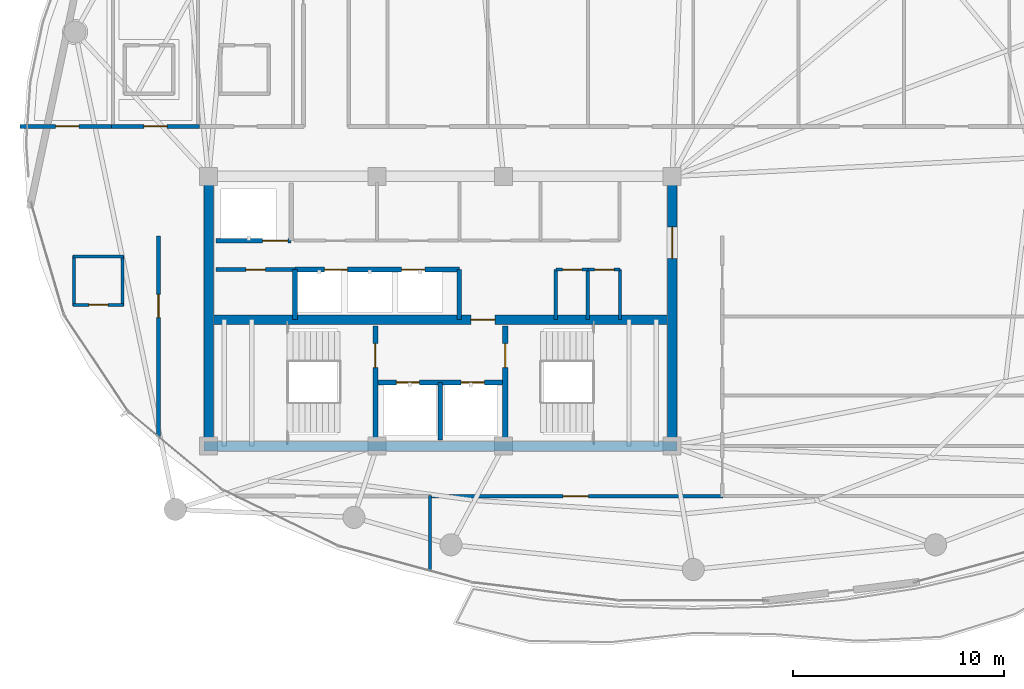
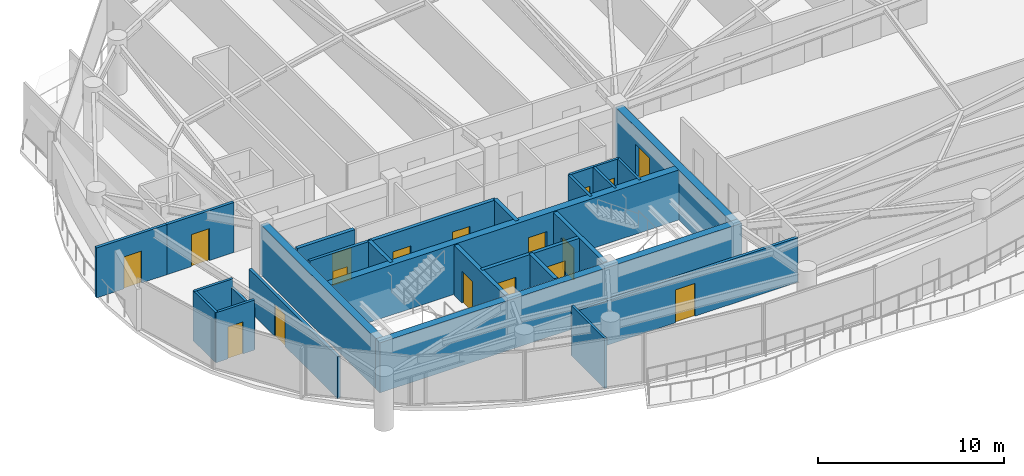
# One storey, part 23 of 29: 27 walls, 17 doors, 17 openings.
"""IFC4 building model written with IfcOpenShell, lengths in metres."""

import ifcopenshell
import ifcopenshell.guid

model = None  # the IFC model being written
_history = None  # IfcOwnerHistory: only IFC2X3 demands one
_inside = {}  # id of a spatial element -> (the spatial element, [elements in it])
_under = {}  # id of a project, library or spatial element -> (it, [spatial elements below it])
_declared = {}  # id of a project -> (the project, [libraries it declares])
_typed = {}  # id of a type object -> (the type object, [elements of that type])
_made_of = {}  # id of a material, layer set ... -> (it, [elements and type objects made of it])


def new_model(schema):
    """Start an empty IFC model of exactly this schema.

    Asked for "IFC4X3", IfcOpenShell would pick the latest addendum, in which some entities
    have other attributes; the version numbers below select the first issue.
    IFC2X3 requires an IfcOwnerHistory on every rooted entity: one is made here for all.
    """
    global model, _history
    if schema == "IFC4X3":
        model = ifcopenshell.file(schema_version=(4, 3, 0, 0))
    else:
        model = ifcopenshell.file(schema=schema)
    _inside.clear()
    _under.clear()
    _declared.clear()
    _typed.clear()
    _made_of.clear()
    _history = None
    if model.schema == "IFC2X3":
        org = make("IfcOrganization", Name="unknown")
        user = make(
            "IfcPersonAndOrganization",
            ThePerson=make("IfcPerson", FamilyName="unknown"),
            TheOrganization=org,
        )
        app = make(
            "IfcApplication",
            ApplicationDeveloper=org,
            Version="unknown",
            ApplicationFullName="unknown",
            ApplicationIdentifier="unknown",
        )
        _history = make(
            "IfcOwnerHistory",
            OwningUser=user,
            OwningApplication=app,
            ChangeAction="ADDED",
            CreationDate=0,
        )
    return model


def make(cls, **values):
    """One entity of the class cls with the attributes given. An attribute that is None is left unset."""
    return model.create_entity(
        cls, **{name: value for name, value in values.items() if value is not None}
    )


def rooted(cls, **values):
    """An entity with a GlobalId (a new one), such as an element, a storey or a relation."""
    return make(cls, GlobalId=ifcopenshell.guid.new(), OwnerHistory=_history, **values)


def si_unit(unit_type, name, prefix=None):
    """IfcSIUnit, for example si_unit("LENGTHUNIT", "METRE", prefix="MILLI")."""
    return make("IfcSIUnit", UnitType=unit_type, Prefix=prefix, Name=name)


def assignment(units):
    """IfcUnitAssignment: the units of a project."""
    return None if units is None else make("IfcUnitAssignment", Units=units)


def point(xyz):
    """IfcCartesianPoint."""
    return None if xyz is None else make("IfcCartesianPoint", Coordinates=xyz)


def direction(xyz):
    """IfcDirection."""
    return None if xyz is None else make("IfcDirection", DirectionRatios=xyz)


def frame(location, z_axis=None, x_axis=None):
    """IfcAxis2Placement3D, a coordinate frame: its origin and axes. An axis left out is left unset."""
    return make(
        "IfcAxis2Placement3D",
        Location=point(location),
        Axis=direction(z_axis),
        RefDirection=direction(x_axis),
    )


def frame_2d(location, x_axis=None):
    """IfcAxis2Placement2D, a coordinate frame in the plane: its origin and x axis."""
    return make(
        "IfcAxis2Placement2D", Location=point(location), RefDirection=direction(x_axis)
    )


def origin():
    """The frame at (0, 0, 0) with its axes left unset."""
    return frame((0.0, 0.0, 0.0))


def place(relative_to, where):
    """IfcLocalPlacement: puts the frame where relative to a parent placement (None: the world)."""
    return make(
        "IfcLocalPlacement", PlacementRelTo=relative_to, RelativePlacement=where
    )


def context(
    kind, dimensions, precision=None, world=None, true_north=None, identifier=None
):
    """IfcGeometricRepresentationContext, for example the 3D "Model" context."""
    return make(
        "IfcGeometricRepresentationContext",
        ContextIdentifier=identifier,
        ContextType=kind,
        CoordinateSpaceDimension=dimensions,
        Precision=precision,
        WorldCoordinateSystem=world,
        TrueNorth=true_north,
    )


def subcontext(parent, identifier, kind, view, scale=None):
    """IfcGeometricRepresentationSubContext, for example "Body" below "Model"."""
    return make(
        "IfcGeometricRepresentationSubContext",
        ContextIdentifier=identifier,
        ContextType=kind,
        ParentContext=parent,
        TargetScale=scale,
        TargetView=view,
    )


def project(units=None, contexts=None):
    """IfcProject with its units and contexts."""
    return rooted(
        "IfcProject",
        Name="project",
        RepresentationContexts=contexts,
        UnitsInContext=assignment(units),
    )


def spatial(cls, under=None, at=None, **own):
    """A site, building, storey or space (cls), placed at a placement, below another one or the project."""
    s = rooted(cls, ObjectPlacement=at, **own)
    if under is not None:
        _under.setdefault(under.id(), (under, []))[1].append(s)
    return s


def profile(cls, at=None, kind="AREA", **sizes):
    """A parametric profile (cls). Its sizes go by their IFC names, for example OverallWidth=200.0."""
    return make(cls, ProfileType=kind, Position=at, **sizes)


def rectangle(**sizes):
    """IfcRectangleProfileDef."""
    return profile("IfcRectangleProfileDef", **sizes)


def extrude(swept, where, along, depth):
    """IfcExtrudedAreaSolid: the profile swept, set in the frame where, extruded along a direction by depth."""
    return make(
        "IfcExtrudedAreaSolid",
        SweptArea=swept,
        Position=where,
        ExtrudedDirection=direction(along),
        Depth=depth,
    )


def shape(context_of_items, identifier, shape_type, items):
    """IfcShapeRepresentation: the items that make up one representation, for example the "Body"."""
    return make(
        "IfcShapeRepresentation",
        ContextOfItems=context_of_items,
        RepresentationIdentifier=identifier,
        RepresentationType=shape_type,
        Items=items,
    )


def material(Name=None, Category=None):
    """IfcMaterial."""
    return make("IfcMaterial", Name=Name, Category=Category)


def layer(
    of_material, thickness, ventilated=None, Name=None, Category=None, Priority=None
):
    """IfcMaterialLayer: one layer of a wall or slab, of a material (None: an air gap)."""
    return make(
        "IfcMaterialLayer",
        Material=of_material,
        LayerThickness=thickness,
        IsVentilated=ventilated,
        Name=Name,
        Category=Category,
        Priority=Priority,
    )


def layer_set(layers, Name=None):
    """IfcMaterialLayerSet."""
    return make("IfcMaterialLayerSet", MaterialLayers=layers, LayerSetName=Name)


def made_of(thing, what):
    """Note that an element or type object is made of a material, layer set ...; save() writes the relation."""
    if what is not None:
        _made_of.setdefault(what.id(), (what, []))[1].append(thing)
    return thing


def type_object(cls, material=None, **own):
    """A type object (cls), such as IfcWallType, which elements share."""
    return made_of(rooted(cls, **own), material)


def element(
    cls,
    number,
    at=None,
    inside=None,
    cuts=None,
    type_object=None,
    material=None,
    context=None,
    identifier="Body",
    shape_type=None,
    held_by="IfcProductDefinitionShape",
    body=None,
    shapes=None,
    **own,
):
    """One element of the class cls, such as IfcWall. Its Tag is "e" and its number.

    at: its placement. inside: the storey or other place that contains it. cuts: it is an
    opening in that element (IfcRelVoidsElement). A single representation is given by context,
    identifier, shape_type and body (its items); several are given by shapes. held_by: the class
    of the entity that holds the representations. save() writes the other relations.
    """
    e = rooted(cls, Tag="e%d" % number, ObjectPlacement=at, **own)
    if body is not None:
        shapes = [shape(context, identifier, shape_type, body)]
    if shapes is not None:
        e.Representation = make(held_by, Representations=shapes)
    if inside is not None:
        _inside.setdefault(inside.id(), (inside, []))[1].append(e)
    if cuts is not None:
        rooted(
            "IfcRelVoidsElement", RelatingBuildingElement=cuts, RelatedOpeningElement=e
        )
    if type_object is not None:
        _typed.setdefault(type_object.id(), (type_object, []))[1].append(e)
    return made_of(e, material)


def fill(opening, filler):
    """IfcRelFillsElement: the door or window that sits in an opening."""
    return rooted(
        "IfcRelFillsElement",
        RelatingOpeningElement=opening,
        RelatedBuildingElement=filler,
    )


def aggregate(whole, parts):
    """IfcRelAggregates: a whole, such as a stair, and the parts it consists of."""
    return rooted("IfcRelAggregates", RelatingObject=whole, RelatedObjects=parts)


def save(model, path):
    """Write the relations noted so far, then the file.

    IfcRelAggregates (storeys below a building ...), IfcRelContainedInSpatialStructure (elements
    in a storey), IfcRelDefinesByType, IfcRelAssociatesMaterial and IfcRelDeclares: one each for
    every whole, place, type object, material and project.
    """
    for whole, parts in _under.values():
        aggregate(whole, parts)
    for where, things in _inside.values():
        rooted(
            "IfcRelContainedInSpatialStructure",
            RelatedElements=things,
            RelatingStructure=where,
        )
    for kind, things in _typed.values():
        rooted("IfcRelDefinesByType", RelatedObjects=things, RelatingType=kind)
    for what, things in _made_of.values():
        rooted("IfcRelAssociatesMaterial", RelatedObjects=things, RelatingMaterial=what)
    for by, libraries in _declared.values():
        rooted("IfcRelDeclares", RelatingContext=by, RelatedDefinitions=libraries)
    model.write(path)


model = new_model("IFC4")

# Units and contexts
model_context = context("Model", 3, precision=1e-05, world=origin(), true_north=direction((0.0, 1.0)))
body_context = subcontext(model_context, "Body", "Model", "MODEL_VIEW")
ifc_project = project(units=[si_unit("LENGTHUNIT", "METRE"), si_unit("AREAUNIT", "SQUARE_METRE"), si_unit("VOLUMEUNIT", "CUBIC_METRE"), si_unit("PLANEANGLEUNIT", "RADIAN"), si_unit("MASSUNIT", "GRAM", prefix="KILO")], contexts=[model_context])

# Site, building, storey
site_placement = place(None, origin())
site = spatial("IfcSite", under=ifc_project, at=site_placement, CompositionType="ELEMENT")
building_placement = place(site_placement, origin())
building = spatial("IfcBuilding", under=site, at=building_placement, Name="Kazevale Care Tower and Concert Hall", CompositionType="ELEMENT")
storey_placement = place(building_placement, frame((0.0, 0.0, 249.60009765625)))
storey = spatial("IfcBuildingStorey", under=building, at=storey_placement, Name="L66", CompositionType="ELEMENT", Elevation=249.60009765625)

# Wall
ifc_material_1 = material(Name="Acoustic Gypsum on Steel Stud", Category="steel")
ifc_layer_1 = layer(ifc_material_1, 0.139892578125)
ifc_layer_set_1 = layer_set([ifc_layer_1], Name="Acoustic Gypsum on Steel Stud")
wall_type_1 = type_object("IfcWallType", Name="Acoustic Care & Suite Partition 140", PredefinedType="PARTITIONING", material=ifc_layer_set_1)
wall_1_placement = place(storey_placement, frame((41.52001953125, 29.6201171875, 0.0), z_axis=(0.0, 0.0, 1.0), x_axis=(0.0, 1.0, 0.0)))
element("IfcWall", 1, at=wall_1_placement, inside=storey, type_object=wall_type_1, Name="wall:L66:ka_ee", PredefinedType="PARTITIONING", context=body_context, shape_type="SweptSolid", body=[
    extrude(rectangle(XDim=2.35986328125, YDim=0.139892578125, at=frame_2d((1.179931640625, 0.0))), origin(), (0.0, 0.0, 1.0), 3.27978515625),
])

# Wall, opening, door
wall_2_placement = place(storey_placement, frame((40.0, 31.97998046875, 0.0), z_axis=(0.0, 0.0, 1.0), x_axis=(1.0, 0.0, 0.0)))
wall_2 = element("IfcWall", 2, at=wall_2_placement, inside=storey, type_object=wall_type_1, Name="wall:L66:ka_en2", PredefinedType="PARTITIONING", context=body_context, shape_type="SweptSolid", body=[
    extrude(rectangle(XDim=1.52001953125, YDim=0.139892578125, at=frame_2d((0.760009765625, 0.0))), origin(), (0.0, 0.0, 1.0), 3.27978515625),
])
opening_1_placement = place(wall_2_placement, frame((0.320068359375, 0.0, 0.0)))
opening_1 = element("IfcOpeningElement", 3, at=opening_1_placement, cuts=wall_2, Name="Opening ID-900", PredefinedType="OPENING", context=body_context, shape_type="SweptSolid", body=[
    extrude(rectangle(XDim=0.919921875, YDim=2.10009765625, at=frame_2d((0.4599609375, 1.050048828125))), frame((0.0, 0.079833984375, 0.0), z_axis=(0.0, -1.0, 0.0), x_axis=(1.0, 0.0, 0.0)), (0.0, 0.0, 1.0), 0.159912109375),
])
ifc_material_2 = material(Name="Oak Timber Fire Leaf", Category="wood")
door_type_1 = type_object("IfcDoorType", Name="Bathroom & Service Door 920x2100", OperationType="NOTDEFINED", PredefinedType="DOOR", material=ifc_material_2)
door_1_placement = place(opening_1_placement, origin())
door_1 = element("IfcDoor", 4, at=door_1_placement, inside=storey, type_object=door_type_1, Name="door:L66:d_kae2", OperationType="SINGLE_SWING_RIGHT", OverallHeight=2.10009765625, OverallWidth=0.919921875, PredefinedType="DOOR", context=body_context, shape_type="SweptSolid", body=[
    extrude(rectangle(XDim=0.919921875, YDim=2.10009765625, at=frame_2d((0.4599609375, 1.050048828125))), frame((0.0, 0.02490234375, 0.0), z_axis=(0.0, -1.0, 0.0), x_axis=(1.0, 0.0, 0.0)), (0.0, 0.0, 1.0), 0.050048828125),
])
fill(opening_1, door_1)

# Walls
wall_3_placement = place(storey_placement, frame((32.5, 21.2548828125, 0.0), z_axis=(0.0, 0.0, 1.0), x_axis=(0.0, -1.0, 0.0)))
element("IfcWall", 5, at=wall_3_placement, inside=storey, type_object=wall_type_1, Name="wall:L66:auto_038", PredefinedType="PARTITIONING", context=body_context, shape_type="SweptSolid", body=[
    extrude(rectangle(XDim=3.55859375, YDim=0.139892578125, at=frame_2d((1.779296875, 0.0))), origin(), (0.0, 0.0, 1.0), 3.27978515625),
])
ifc_material_3 = material(Name="Concrete C50", Category="concrete")
ifc_layer_2 = layer(ifc_material_3, 0.449951171875)
ifc_layer_set_2 = layer_set([ifc_layer_2], Name="Concrete C50")
wall_type_2 = type_object("IfcWallType", Name="Core Shear Wall 450 C50", PredefinedType="SHEAR", material=ifc_layer_set_2)
wall_4_placement = place(storey_placement, frame((21.77490234375, 23.60009765625, 0.0), z_axis=(0.0, 0.0, 1.0), x_axis=(1.0, 0.0, 0.0)))
element("IfcWall", 6, at=wall_4_placement, inside=storey, type_object=wall_type_2, Name="wall:L66:core:S", PredefinedType="SHEAR", context=body_context, shape_type="SweptSolid", body=[
    extrude(rectangle(XDim=22.4501953125, YDim=0.449951171875, at=frame_2d((11.22509765625, 0.0))), origin(), (0.0, 0.0, 1.0), 3.27978515625),
])
wall_5_placement = place(storey_placement, frame((22.0, 23.824951171875, 0.0), z_axis=(0.0, 0.0, 1.0), x_axis=(0.0, 1.0, 0.0)))
element("IfcWall", 7, at=wall_5_placement, inside=storey, type_object=wall_type_2, Name="wall:L66:core:W", PredefinedType="SHEAR", context=body_context, shape_type="SweptSolid", body=[
    extrude(rectangle(XDim=12.35009765625, YDim=0.449951171875, at=frame_2d((6.175048828125, 0.0))), origin(), (0.0, 0.0, 1.0), 3.27978515625),
])

# Wall, opening, door
wall_6_placement = place(storey_placement, frame((44.0, 23.824951171875, 0.0), z_axis=(0.0, 0.0, 1.0), x_axis=(0.0, 1.0, 0.0)))
wall_6 = element("IfcWall", 8, at=wall_6_placement, inside=storey, type_object=wall_type_2, Name="wall:L66:core:E", PredefinedType="SHEAR", context=body_context, shape_type="SweptSolid", body=[
    extrude(rectangle(XDim=12.35009765625, YDim=0.449951171875, at=frame_2d((6.175048828125, 0.0))), origin(), (0.0, 0.0, 1.0), 3.27978515625),
])
opening_2_placement = place(wall_6_placement, frame((8.675048828125, 0.0, 0.0)))
opening_2 = element("IfcOpeningElement", 9, at=opening_2_placement, cuts=wall_6, Name="Opening FD-60D", PredefinedType="OPENING", context=body_context, shape_type="SweptSolid", body=[
    extrude(rectangle(XDim=1.5, YDim=2.14990234375, at=frame_2d((0.75, 1.074951171875))), frame((0.0, 0.23486328125, 0.0), z_axis=(0.0, -1.0, 0.0), x_axis=(1.0, 0.0, 0.0)), (0.0, 0.0, 1.0), 0.469970703125),
])
door_type_2 = type_object("IfcDoorType", Name="Double Lobby & Auditorium Fire Door 1500x2150", OperationType="NOTDEFINED", PredefinedType="DOOR", material=ifc_material_2)
door_2_placement = place(opening_2_placement, origin())
door_2 = element("IfcDoor", 10, at=door_2_placement, inside=storey, type_object=door_type_2, Name="door:L66:core_east_out", OperationType="DOUBLE_DOOR_SINGLE_SWING", OverallHeight=2.14990234375, OverallWidth=1.5, PredefinedType="DOOR", context=body_context, shape_type="SweptSolid", body=[
    extrude(rectangle(XDim=1.5, YDim=2.14990234375, at=frame_2d((0.75, 1.074951171875))), frame((0.0, 0.02490234375, 0.0), z_axis=(0.0, -1.0, 0.0), x_axis=(1.0, 0.0, 0.0)), (0.0, 0.0, 1.0), 0.050048828125),
])
fill(opening_2, door_2)

wall_7_placement = place(storey_placement, frame((22.22509765625, 29.60009765625, 0.0), z_axis=(0.0, 0.0, 1.0), x_axis=(1.0, 0.0, 0.0)))
wall_7 = element("IfcWall", 11, at=wall_7_placement, inside=storey, type_object=wall_type_2, Name="wall:L66:core:M", PredefinedType="SHEAR", context=body_context, shape_type="SweptSolid", body=[
    extrude(rectangle(XDim=21.5498046875, YDim=0.449951171875, at=frame_2d((10.77490234375, 0.0))), origin(), (0.0, 0.0, 1.0), 3.27978515625),
])
opening_3_placement = place(wall_7_placement, frame((12.22509765625, 0.0, 0.0)))
opening_3 = element("IfcOpeningElement", 12, at=opening_3_placement, cuts=wall_7, Name="Opening FD-90", PredefinedType="OPENING", context=body_context, shape_type="SweptSolid", body=[
    extrude(rectangle(XDim=1.14990234375, YDim=2.10009765625, at=frame_2d((0.574951171875, 1.050048828125))), frame((0.0, 0.23486328125, 0.0), z_axis=(0.0, -1.0, 0.0), x_axis=(1.0, 0.0, 0.0)), (0.0, 0.0, 1.0), 0.469970703125),
])
ifc_material_4 = material(Name="Steel ASTM A572 Gr 50", Category="steel")
door_type_3 = type_object("IfcDoorType", Name="Pressurized Stair & Lobby Fire Door 1150x2100", OperationType="NOTDEFINED", PredefinedType="DOOR", material=ifc_material_4)
door_3_placement = place(opening_3_placement, origin())
door_3 = element("IfcDoor", 13, at=door_3_placement, inside=storey, type_object=door_type_3, Name="door:L66:ff_to_pax", OperationType="SINGLE_SWING_LEFT", OverallHeight=2.10009765625, OverallWidth=1.14990234375, PredefinedType="DOOR", context=body_context, shape_type="SweptSolid", body=[
    extrude(rectangle(XDim=1.14990234375, YDim=2.10009765625, at=frame_2d((0.574951171875, 1.050048828125))), frame((0.0, 0.02490234375, 0.0), z_axis=(0.0, -1.0, 0.0), x_axis=(1.0, 0.0, 0.0)), (0.0, 0.0, 1.0), 0.050048828125),
])
fill(opening_3, door_3)

# Wall, openings, doors
ifc_material_5 = material(Name="Concrete C40", Category="concrete")
ifc_layer_3 = layer(ifc_material_5, 0.219970703125)
ifc_layer_set_3 = layer_set([ifc_layer_3], Name="Concrete C40")
wall_type_3 = type_object("IfcWallType", Name="Elevator Hoistway Shaft Wall 220", PredefinedType="SOLIDWALL", material=ifc_layer_set_3)
wall_8_placement = place(storey_placement, frame((29.919921875, 26.6201171875, 0.0), z_axis=(0.0, 0.0, 1.0), x_axis=(1.0, 0.0, 0.0)))
wall_8 = element("IfcWall", 14, at=wall_8_placement, inside=storey, type_object=wall_type_3, Name="wall:L66:c_ffl_n", PredefinedType="SOLIDWALL", context=body_context, shape_type="SweptSolid", body=[
    extrude(rectangle(XDim=6.16015625, YDim=0.219970703125, at=frame_2d((3.080078125, 0.0))), origin(), (0.0, 0.0, 1.0), 3.27978515625),
])
opening_4_placement = place(wall_8_placement, frame((0.989990234375, 0.0, 0.0)))
opening_4 = element("IfcOpeningElement", 15, at=opening_4_placement, cuts=wall_8, Name="Opening LD-FF", PredefinedType="OPENING", context=body_context, shape_type="SweptSolid", body=[
    extrude(rectangle(XDim=1.10009765625, YDim=2.10009765625, at=frame_2d((0.550048828125, 1.050048828125))), frame((0.0, 0.119873046875, 0.0), z_axis=(0.0, -1.0, 0.0), x_axis=(1.0, 0.0, 0.0)), (0.0, 0.0, 1.0), 0.239990234375),
])
opening_5_placement = place(wall_8_placement, frame((4.070068359375, 0.0, 0.0)))
opening_5 = element("IfcOpeningElement", 16, at=opening_5_placement, cuts=wall_8, Name="Opening LD-FF", PredefinedType="OPENING", context=body_context, shape_type="SweptSolid", body=[
    extrude(rectangle(XDim=1.10009765625, YDim=2.10009765625, at=frame_2d((0.550048828125, 1.050048828125))), frame((0.0, 0.119873046875, 0.0), z_axis=(0.0, -1.0, 0.0), x_axis=(1.0, 0.0, 0.0)), (0.0, 0.0, 1.0), 0.239990234375),
])
ifc_material_6 = material(Name="Stainless Steel 316", Category="steel")
door_type_4 = type_object("IfcDoorType", Name="Emergency Lift Sliding Landing Door 1100x2100", OperationType="NOTDEFINED", PredefinedType="DOOR", material=ifc_material_6)
door_4_placement = place(opening_4_placement, origin())
door_4 = element("IfcDoor", 17, at=door_4_placement, inside=storey, type_object=door_type_4, Name="door:L66:ld_ffl1", OperationType="SLIDING_TO_LEFT", OverallHeight=2.10009765625, OverallWidth=1.10009765625, PredefinedType="DOOR", context=body_context, shape_type="SweptSolid", body=[
    extrude(rectangle(XDim=1.10009765625, YDim=2.10009765625, at=frame_2d((0.550048828125, 1.050048828125))), frame((0.0, 0.02490234375, 0.0), z_axis=(0.0, -1.0, 0.0), x_axis=(1.0, 0.0, 0.0)), (0.0, 0.0, 1.0), 0.050048828125),
])
fill(opening_4, door_4)
door_5_placement = place(opening_5_placement, origin())
door_5 = element("IfcDoor", 18, at=door_5_placement, inside=storey, type_object=door_type_4, Name="door:L66:ld_ffl2", OperationType="SLIDING_TO_RIGHT", OverallHeight=2.10009765625, OverallWidth=1.10009765625, PredefinedType="DOOR", context=body_context, shape_type="SweptSolid", body=[
    extrude(rectangle(XDim=1.10009765625, YDim=2.10009765625, at=frame_2d((0.550048828125, 1.050048828125))), frame((0.0, 0.02490234375, 0.0), z_axis=(0.0, -1.0, 0.0), x_axis=(1.0, 0.0, 0.0)), (0.0, 0.0, 1.0), 0.050048828125),
])
fill(opening_5, door_5)

# Wall
wall_9_placement = place(storey_placement, frame((33.0, 23.89990234375, 0.0), z_axis=(0.0, 0.0, 1.0), x_axis=(0.0, 1.0, 0.0)))
element("IfcWall", 19, at=wall_9_placement, inside=storey, type_object=wall_type_3, Name="wall:L66:c_ffl_m", PredefinedType="SOLIDWALL", context=body_context, shape_type="SweptSolid", body=[
    extrude(rectangle(XDim=2.72021484375, YDim=0.219970703125, at=frame_2d((1.360107421875, 0.0))), origin(), (0.0, 0.0, 1.0), 3.27978515625),
])

# Wall, opening, door
wall_10_placement = place(storey_placement, frame((22.35009765625, 33.35009765625, 0.0), z_axis=(0.0, 0.0, 1.0), x_axis=(1.0, 0.0, 0.0)))
wall_10 = element("IfcWall", 20, at=wall_10_placement, inside=storey, type_object=wall_type_3, Name="wall:L66:c_svl_s", PredefinedType="SOLIDWALL", context=body_context, shape_type="SweptSolid", body=[
    extrude(rectangle(XDim=3.56982421875, YDim=0.219970703125, at=frame_2d((1.784912109375, 0.0))), origin(), (0.0, 0.0, 1.0), 3.27978515625),
])
opening_6_placement = place(wall_10_placement, frame((2.212890625, 0.0, 0.0)))
opening_6 = element("IfcOpeningElement", 21, at=opening_6_placement, cuts=wall_10, Name="Opening LD-SV", PredefinedType="OPENING", context=body_context, shape_type="SweptSolid", body=[
    extrude(rectangle(XDim=1.199951171875, YDim=2.10009765625, at=frame_2d((0.60009765625, 1.050048828125))), frame((0.0, 0.119873046875, 0.0), z_axis=(0.0, -1.0, 0.0), x_axis=(1.0, 0.0, 0.0)), (0.0, 0.0, 1.0), 0.239990234375),
])
door_type_5 = type_object("IfcDoorType", Name="Service Lift Sliding Landing Door 1200x2100", OperationType="NOTDEFINED", PredefinedType="DOOR", material=ifc_material_6)
door_6_placement = place(opening_6_placement, origin())
door_6 = element("IfcDoor", 22, at=door_6_placement, inside=storey, type_object=door_type_5, Name="door:L66:ld_svl1", OperationType="SLIDING_TO_LEFT", OverallHeight=2.10009765625, OverallWidth=1.199951171875, PredefinedType="DOOR", context=body_context, shape_type="SweptSolid", body=[
    extrude(rectangle(XDim=1.199951171875, YDim=2.10009765625, at=frame_2d((0.60009765625, 1.050048828125))), frame((0.0, 0.02490234375, 0.0), z_axis=(0.0, -1.0, 0.0), x_axis=(1.0, 0.0, 0.0)), (0.0, 0.0, 1.0), 0.050048828125),
])
fill(opening_6, door_6)

# Wall
wall_11_placement = place(storey_placement, frame((26.10009765625, 29.6201171875, 0.0), z_axis=(0.0, 0.0, 1.0), x_axis=(0.0, 1.0, 0.0)))
element("IfcWall", 23, at=wall_11_placement, inside=storey, type_object=wall_type_3, Name="wall:L66:c_ph_w", PredefinedType="SOLIDWALL", context=body_context, shape_type="SweptSolid", body=[
    extrude(rectangle(XDim=2.35986328125, YDim=0.219970703125, at=frame_2d((1.179931640625, 0.0))), origin(), (0.0, 0.0, 1.0), 3.27978515625),
])

# Wall, openings, doors
wall_12_placement = place(storey_placement, frame((26.10009765625, 31.97998046875, 0.0), z_axis=(0.0, 0.0, 1.0), x_axis=(1.0, 0.0, 0.0)))
wall_12 = element("IfcWall", 24, at=wall_12_placement, inside=storey, type_object=wall_type_3, Name="wall:L66:c_ph_n", PredefinedType="SOLIDWALL", context=body_context, shape_type="SweptSolid", body=[
    extrude(rectangle(XDim=7.7998046875, YDim=0.219970703125, at=frame_2d((3.89990234375, 0.0))), origin(), (0.0, 0.0, 1.0), 3.27978515625),
])
opening_7_placement = place(wall_12_placement, frame((1.39990234375, 0.0, 0.0)))
opening_7 = element("IfcOpeningElement", 25, at=opening_7_placement, cuts=wall_12, Name="Opening LD-PAX", PredefinedType="OPENING", context=body_context, shape_type="SweptSolid", body=[
    extrude(rectangle(XDim=1.10009765625, YDim=2.10009765625, at=frame_2d((0.550048828125, 1.050048828125))), frame((0.0, 0.119873046875, 0.0), z_axis=(0.0, -1.0, 0.0), x_axis=(1.0, 0.0, 0.0)), (0.0, 0.0, 1.0), 0.239990234375),
])
opening_8_placement = place(wall_12_placement, frame((5.06591796875, 0.0, 0.0)))
opening_8 = element("IfcOpeningElement", 26, at=opening_8_placement, cuts=wall_12, Name="Opening LD-PAX", PredefinedType="OPENING", context=body_context, shape_type="SweptSolid", body=[
    extrude(rectangle(XDim=1.10009765625, YDim=2.10009765625, at=frame_2d((0.550048828125, 1.050048828125))), frame((0.0, 0.119873046875, 0.0), z_axis=(0.0, -1.0, 0.0), x_axis=(1.0, 0.0, 0.0)), (0.0, 0.0, 1.0), 0.239990234375),
])
door_type_6 = type_object("IfcDoorType", Name="Passenger Lift Sliding Landing Door 1100x2100", OperationType="NOTDEFINED", PredefinedType="DOOR", material=ifc_material_6)
door_7_placement = place(opening_7_placement, origin())
door_7 = element("IfcDoor", 27, at=door_7_placement, inside=storey, type_object=door_type_6, Name="door:L66:ld_ph1", OperationType="SLIDING_TO_LEFT", OverallHeight=2.10009765625, OverallWidth=1.10009765625, PredefinedType="DOOR", context=body_context, shape_type="SweptSolid", body=[
    extrude(rectangle(XDim=1.10009765625, YDim=2.10009765625, at=frame_2d((0.550048828125, 1.050048828125))), frame((0.0, 0.02490234375, 0.0), z_axis=(0.0, -1.0, 0.0), x_axis=(1.0, 0.0, 0.0)), (0.0, 0.0, 1.0), 0.050048828125),
])
fill(opening_7, door_7)
door_8_placement = place(opening_8_placement, origin())
door_8 = element("IfcDoor", 28, at=door_8_placement, inside=storey, type_object=door_type_6, Name="door:L66:ld_ph2", OperationType="SLIDING_TO_RIGHT", OverallHeight=2.10009765625, OverallWidth=1.10009765625, PredefinedType="DOOR", context=body_context, shape_type="SweptSolid", body=[
    extrude(rectangle(XDim=1.10009765625, YDim=2.10009765625, at=frame_2d((0.550048828125, 1.050048828125))), frame((0.0, 0.02490234375, 0.0), z_axis=(0.0, -1.0, 0.0), x_axis=(1.0, 0.0, 0.0)), (0.0, 0.0, 1.0), 0.050048828125),
])
fill(opening_8, door_8)

# Wall
wall_13_placement = place(storey_placement, frame((33.89990234375, 29.6201171875, 0.0), z_axis=(0.0, 0.0, 1.0), x_axis=(0.0, 1.0, 0.0)))
element("IfcWall", 29, at=wall_13_placement, inside=storey, type_object=wall_type_3, Name="wall:L66:c_ph_e", PredefinedType="SOLIDWALL", context=body_context, shape_type="SweptSolid", body=[
    extrude(rectangle(XDim=2.35986328125, YDim=0.219970703125, at=frame_2d((1.179931640625, 0.0))), origin(), (0.0, 0.0, 1.0), 3.27978515625),
])

# Wall, opening, door
ifc_material_7 = material(Name="Concrete C40 and Acoustic Gypsum", Category="concrete")
ifc_layer_4 = layer(ifc_material_7, 0.179931640625)
ifc_layer_set_4 = layer_set([ifc_layer_4], Name="Concrete C40 and Acoustic Gypsum")
wall_type_4 = type_object("IfcWallType", Name="Fire-Rated Corridor & Party Wall 180", PredefinedType="PARTITIONING", material=ifc_layer_set_4)
wall_14_placement = place(storey_placement, frame((22.35009765625, 31.97998046875, 0.0), z_axis=(0.0, 0.0, 1.0), x_axis=(1.0, 0.0, 0.0)))
wall_14 = element("IfcWall", 30, at=wall_14_placement, inside=storey, type_object=wall_type_4, Name="wall:L66:ka_wn1", PredefinedType="PARTITIONING", context=body_context, shape_type="SweptSolid", body=[
    extrude(rectangle(XDim=3.75, YDim=0.179931640625, at=frame_2d((1.875, 0.0))), origin(), (0.0, 0.0, 1.0), 3.27978515625),
])
opening_9_placement = place(wall_14_placement, frame((1.425048828125, 0.0, 0.0)))
opening_9 = element("IfcOpeningElement", 31, at=opening_9_placement, cuts=wall_14, Name="Opening ID-900", PredefinedType="OPENING", context=body_context, shape_type="SweptSolid", body=[
    extrude(rectangle(XDim=0.919921875, YDim=2.10009765625, at=frame_2d((0.4599609375, 1.050048828125))), frame((0.0, 0.099853515625, 0.0), z_axis=(0.0, -1.0, 0.0), x_axis=(1.0, 0.0, 0.0)), (0.0, 0.0, 1.0), 0.199951171875),
])
door_9_placement = place(opening_9_placement, origin())
door_9 = element("IfcDoor", 32, at=door_9_placement, inside=storey, type_object=door_type_1, Name="door:L66:d_kaw", OperationType="SINGLE_SWING_LEFT", OverallHeight=2.10009765625, OverallWidth=0.919921875, PredefinedType="DOOR", context=body_context, shape_type="SweptSolid", body=[
    extrude(rectangle(XDim=0.919921875, YDim=2.10009765625, at=frame_2d((0.4599609375, 1.050048828125))), frame((0.0, 0.02490234375, 0.0), z_axis=(0.0, -1.0, 0.0), x_axis=(1.0, 0.0, 0.0)), (0.0, 0.0, 1.0), 0.050048828125),
])
fill(opening_9, door_9)

wall_15_placement = place(storey_placement, frame((13.053955078125, 38.77490234375, 0.0), z_axis=(0.0, 0.0, 1.0), x_axis=(1.0, 0.0, 0.0)))
wall_15 = element("IfcWall", 33, at=wall_15_placement, inside=storey, type_object=wall_type_4, Name="wall:L66:auto_001", PredefinedType="PARTITIONING", context=body_context, shape_type="SweptSolid", body=[
    extrude(rectangle(XDim=4.48095703125, YDim=0.179931640625, at=frame_2d((2.240478515625, 0.0))), origin(), (0.0, 0.0, 1.0), 3.27978515625),
])
opening_10_placement = place(wall_15_placement, frame((1.68994140625, 0.0, 0.0)))
opening_10 = element("IfcOpeningElement", 34, at=opening_10_placement, cuts=wall_15, Name="Opening ID-1100", PredefinedType="OPENING", context=body_context, shape_type="SweptSolid", body=[
    extrude(rectangle(XDim=1.10009765625, YDim=2.10009765625, at=frame_2d((0.550048828125, 1.050048828125))), frame((0.0, 0.099853515625, 0.0), z_axis=(0.0, -1.0, 0.0), x_axis=(1.0, 0.0, 0.0)), (0.0, 0.0, 1.0), 0.199951171875),
])
door_type_7 = type_object("IfcDoorType", Name="Care Bedroom Accessible Door 1100x2100", OperationType="NOTDEFINED", PredefinedType="DOOR", material=ifc_material_2)
door_10_placement = place(opening_10_placement, origin())
door_10 = element("IfcDoor", 35, at=door_10_placement, inside=storey, type_object=door_type_7, Name="door:L66:ad_001", OperationType="SINGLE_SWING_LEFT", OverallHeight=2.10009765625, OverallWidth=1.10009765625, PredefinedType="DOOR", context=body_context, shape_type="SweptSolid", body=[
    extrude(rectangle(XDim=1.10009765625, YDim=2.10009765625, at=frame_2d((0.550048828125, 1.050048828125))), frame((0.0, 0.02490234375, 0.0), z_axis=(0.0, -1.0, 0.0), x_axis=(1.0, 0.0, 0.0)), (0.0, 0.0, 1.0), 0.050048828125),
])
fill(opening_10, door_10)

wall_16_placement = place(storey_placement, frame((17.405029296875, 38.77490234375, 0.0), z_axis=(0.0, 0.0, 1.0), x_axis=(1.0, 0.0, 0.0)))
wall_16 = element("IfcWall", 36, at=wall_16_placement, inside=storey, type_object=wall_type_4, Name="wall:L66:auto_002", PredefinedType="PARTITIONING", context=body_context, shape_type="SweptSolid", body=[
    extrude(rectangle(XDim=4.159912109375, YDim=0.179931640625, at=frame_2d((2.080078125, 0.0))), origin(), (0.0, 0.0, 1.0), 3.27978515625),
])
opening_11_placement = place(wall_16_placement, frame((1.530029296875, 0.0, 0.0)))
opening_11 = element("IfcOpeningElement", 37, at=opening_11_placement, cuts=wall_16, Name="Opening ID-1100", PredefinedType="OPENING", context=body_context, shape_type="SweptSolid", body=[
    extrude(rectangle(XDim=1.10009765625, YDim=2.10009765625, at=frame_2d((0.550048828125, 1.050048828125))), frame((0.0, 0.099853515625, 0.0), z_axis=(0.0, -1.0, 0.0), x_axis=(1.0, 0.0, 0.0)), (0.0, 0.0, 1.0), 0.199951171875),
])
door_11_placement = place(opening_11_placement, origin())
door_11 = element("IfcDoor", 38, at=door_11_placement, inside=storey, type_object=door_type_7, Name="door:L66:ad_002", OperationType="SINGLE_SWING_LEFT", OverallHeight=2.10009765625, OverallWidth=1.10009765625, PredefinedType="DOOR", context=body_context, shape_type="SweptSolid", body=[
    extrude(rectangle(XDim=1.10009765625, YDim=2.10009765625, at=frame_2d((0.550048828125, 1.050048828125))), frame((0.0, 0.02490234375, 0.0), z_axis=(0.0, -1.0, 0.0), x_axis=(1.0, 0.0, 0.0)), (0.0, 0.0, 1.0), 0.050048828125),
])
fill(opening_11, door_11)

wall_17_placement = place(storey_placement, frame((46.405029296875, 21.22509765625, 0.0), z_axis=(0.0, 0.0, 1.0), x_axis=(-1.0, 0.0, 0.0)))
wall_17 = element("IfcWall", 39, at=wall_17_placement, inside=storey, type_object=wall_type_4, Name="wall:L66:auto_021", PredefinedType="PARTITIONING", context=body_context, shape_type="SweptSolid", body=[
    extrude(rectangle(XDim=13.969970703125, YDim=0.179931640625, at=frame_2d((6.98486328125, 0.0))), origin(), (0.0, 0.0, 1.0), 2.916015625),
])
opening_12_placement = place(wall_17_placement, frame((6.385009765625, 0.0, 0.0)))
opening_12 = element("IfcOpeningElement", 40, at=opening_12_placement, cuts=wall_17, Name="Opening ID-1200", PredefinedType="OPENING", context=body_context, shape_type="SweptSolid", body=[
    extrude(rectangle(XDim=1.199951171875, YDim=2.14990234375, at=frame_2d((0.60009765625, 1.074951171875))), frame((0.0, 0.099853515625, 0.0), z_axis=(0.0, -1.0, 0.0), x_axis=(1.0, 0.0, 0.0)), (0.0, 0.0, 1.0), 0.199951171875),
])
door_type_8 = type_object("IfcDoorType", Name="Clinical & Therapy Door 1200x2150", OperationType="NOTDEFINED", PredefinedType="DOOR", material=ifc_material_2)
door_12_placement = place(opening_12_placement, origin())
door_12 = element("IfcDoor", 41, at=door_12_placement, inside=storey, type_object=door_type_8, Name="door:L66:ad_021", OperationType="SINGLE_SWING_LEFT", OverallHeight=2.14990234375, OverallWidth=1.199951171875, PredefinedType="DOOR", context=body_context, shape_type="SweptSolid", body=[
    extrude(rectangle(XDim=1.199951171875, YDim=2.14990234375, at=frame_2d((0.60009765625, 1.074951171875))), frame((0.0, 0.02490234375, 0.0), z_axis=(0.0, -1.0, 0.0), x_axis=(1.0, 0.0, 0.0)), (0.0, 0.0, 1.0), 0.050048828125),
])
fill(opening_12, door_12)

wall_18_placement = place(storey_placement, frame((19.625, 24.059814453125, 0.0), z_axis=(0.0, 0.0, 1.0), x_axis=(0.0, 1.0, 0.0)))
wall_18 = element("IfcWall", 42, at=wall_18_placement, inside=storey, type_object=wall_type_4, Name="wall:L66:auto_022", PredefinedType="PARTITIONING", context=body_context, shape_type="SweptSolid", body=[
    extrude(rectangle(XDim=9.505126953125, YDim=0.179931640625, at=frame_2d((4.75244140625, 0.0))), origin(), (0.0, 0.0, 1.0), 2.73681640625),
])
opening_13_placement = place(wall_18_placement, frame((5.639892578125, 0.0, 0.0)))
opening_13 = element("IfcOpeningElement", 43, at=opening_13_placement, cuts=wall_18, Name="Opening ID-1100", PredefinedType="OPENING", context=body_context, shape_type="SweptSolid", body=[
    extrude(rectangle(XDim=1.10009765625, YDim=2.10009765625, at=frame_2d((0.550048828125, 1.050048828125))), frame((0.0, 0.099853515625, 0.0), z_axis=(0.0, -1.0, 0.0), x_axis=(1.0, 0.0, 0.0)), (0.0, 0.0, 1.0), 0.199951171875),
])
door_13_placement = place(opening_13_placement, origin())
door_13 = element("IfcDoor", 44, at=door_13_placement, inside=storey, type_object=door_type_7, Name="door:L66:ad_022", OperationType="SINGLE_SWING_LEFT", OverallHeight=2.10009765625, OverallWidth=1.10009765625, PredefinedType="DOOR", context=body_context, shape_type="SweptSolid", body=[
    extrude(rectangle(XDim=1.10009765625, YDim=2.10009765625, at=frame_2d((0.550048828125, 1.050048828125))), frame((0.0, 0.02490234375, 0.0), z_axis=(0.0, -1.0, 0.0), x_axis=(1.0, 0.0, 0.0)), (0.0, 0.0, 1.0), 0.050048828125),
])
fill(opening_13, door_13)

# Walls
ifc_layer_5 = layer(ifc_material_1, 0.159912109375)
ifc_layer_set_5 = layer_set([ifc_layer_5], Name="Acoustic Gypsum on Steel Stud")
wall_type_5 = type_object("IfcWallType", Name="Moisture-Resistant Bathroom Plumbing Wall 160", PredefinedType="PLUMBINGWALL", material=ifc_layer_set_5)
for number, where, z_axis, x_axis, name in (
    (45, (38.47998046875, 29.6201171875, 0.0), (0.0, 0.0, 1.0), (0.0, 1.0, 0.0), "wall:L66:ka_ew"),
    (46, (40.0, 29.6201171875, 0.0), (0.0, 0.0, 1.0), (0.0, 1.0, 0.0), "wall:L66:ka_em"),
):
    element("IfcWall", number, at=place(storey_placement, frame(where, z_axis=z_axis, x_axis=x_axis)), inside=storey, type_object=wall_type_5, Name=name, PredefinedType="PLUMBINGWALL", context=body_context, shape_type="SweptSolid", body=[
        extrude(rectangle(XDim=2.35986328125, YDim=0.159912109375, at=frame_2d((1.179931640625, 0.0))), origin(), (0.0, 0.0, 1.0), 3.27978515625),
    ])

# Wall, opening, door
wall_19_placement = place(storey_placement, frame((38.47998046875, 31.97998046875, 0.0), z_axis=(0.0, 0.0, 1.0), x_axis=(1.0, 0.0, 0.0)))
wall_19 = element("IfcWall", 47, at=wall_19_placement, inside=storey, type_object=wall_type_5, Name="wall:L66:ka_en1", PredefinedType="PLUMBINGWALL", context=body_context, shape_type="SweptSolid", body=[
    extrude(rectangle(XDim=1.52001953125, YDim=0.159912109375, at=frame_2d((0.760009765625, 0.0))), origin(), (0.0, 0.0, 1.0), 3.27978515625),
])
opening_14_placement = place(wall_19_placement, frame((0.320068359375, 0.0, 0.0)))
opening_14 = element("IfcOpeningElement", 48, at=opening_14_placement, cuts=wall_19, Name="Opening ID-900", PredefinedType="OPENING", context=body_context, shape_type="SweptSolid", body=[
    extrude(rectangle(XDim=0.919921875, YDim=2.10009765625, at=frame_2d((0.4599609375, 1.050048828125))), frame((0.0, 0.08984375, 0.0), z_axis=(0.0, -1.0, 0.0), x_axis=(1.0, 0.0, 0.0)), (0.0, 0.0, 1.0), 0.179931640625),
])
door_14_placement = place(opening_14_placement, origin())
door_14 = element("IfcDoor", 49, at=door_14_placement, inside=storey, type_object=door_type_1, Name="door:L66:d_kae1", OperationType="SINGLE_SWING_LEFT", OverallHeight=2.10009765625, OverallWidth=0.919921875, PredefinedType="DOOR", context=body_context, shape_type="SweptSolid", body=[
    extrude(rectangle(XDim=0.919921875, YDim=2.10009765625, at=frame_2d((0.4599609375, 1.050048828125))), frame((0.0, 0.02490234375, 0.0), z_axis=(0.0, -1.0, 0.0), x_axis=(1.0, 0.0, 0.0)), (0.0, 0.0, 1.0), 0.050048828125),
])
fill(opening_14, door_14)

wall_20_placement = place(storey_placement, frame((15.576904296875, 30.300048828125, 0.0), z_axis=(0.0, 0.0, 1.0), x_axis=(1.0, 0.0, 0.0)))
wall_20 = element("IfcWall", 50, at=wall_20_placement, inside=storey, type_object=wall_type_5, Name="wall:L66:wb2_ens_ws", PredefinedType="PLUMBINGWALL", context=body_context, shape_type="SweptSolid", body=[
    extrude(rectangle(XDim=2.380126953125, YDim=0.159912109375, at=frame_2d((1.18994140625, 0.0))), origin(), (0.0, 0.0, 1.0), 3.27978515625),
])
opening_15_placement = place(wall_20_placement, frame((0.739990234375, 0.0, 0.0)))
opening_15 = element("IfcOpeningElement", 51, at=opening_15_placement, cuts=wall_20, Name="Opening ID-900", PredefinedType="OPENING", context=body_context, shape_type="SweptSolid", body=[
    extrude(rectangle(XDim=0.919921875, YDim=2.10009765625, at=frame_2d((0.4599609375, 1.050048828125))), frame((0.0, 0.08984375, 0.0), z_axis=(0.0, -1.0, 0.0), x_axis=(1.0, 0.0, 0.0)), (0.0, 0.0, 1.0), 0.179931640625),
])
door_15_placement = place(opening_15_placement, origin())
door_15 = element("IfcDoor", 52, at=door_15_placement, inside=storey, type_object=door_type_1, Name="door:L66:wb2_ens_d", OperationType="SINGLE_SWING_LEFT", OverallHeight=2.10009765625, OverallWidth=0.919921875, PredefinedType="DOOR", context=body_context, shape_type="SweptSolid", body=[
    extrude(rectangle(XDim=0.919921875, YDim=2.10009765625, at=frame_2d((0.4599609375, 1.050048828125))), frame((0.0, 0.02490234375, 0.0), z_axis=(0.0, -1.0, 0.0), x_axis=(1.0, 0.0, 0.0)), (0.0, 0.0, 1.0), 0.050048828125),
])
fill(opening_15, door_15)

# Walls
wall_21_placement = place(storey_placement, frame((15.576904296875, 32.60009765625, 0.0), z_axis=(0.0, 0.0, 1.0), x_axis=(1.0, 0.0, 0.0)))
element("IfcWall", 53, at=wall_21_placement, inside=storey, type_object=wall_type_5, Name="wall:L66:wb2_ens_wn", PredefinedType="PLUMBINGWALL", context=body_context, shape_type="SweptSolid", body=[
    extrude(rectangle(XDim=2.380126953125, YDim=0.159912109375, at=frame_2d((1.18994140625, 0.0))), origin(), (0.0, 0.0, 1.0), 3.27978515625),
])
wall_22_placement = place(storey_placement, frame((15.616943359375, 30.260009765625, 0.0), z_axis=(0.0, 0.0, 1.0), x_axis=(0.0, 1.0, 0.0)))
element("IfcWall", 54, at=wall_22_placement, inside=storey, type_object=wall_type_5, Name="wall:L66:wb2_ens_ww", PredefinedType="PLUMBINGWALL", context=body_context, shape_type="SweptSolid", body=[
    extrude(rectangle(XDim=2.3798828125, YDim=0.159912109375, at=frame_2d((1.18994140625, 0.0))), origin(), (0.0, 0.0, 1.0), 3.27978515625),
])
wall_23_placement = place(storey_placement, frame((17.9169921875, 30.260009765625, 0.0), z_axis=(0.0, 0.0, 1.0), x_axis=(0.0, 1.0, 0.0)))
element("IfcWall", 55, at=wall_23_placement, inside=storey, type_object=wall_type_5, Name="wall:L66:wb2_ens_we", PredefinedType="PLUMBINGWALL", context=body_context, shape_type="SweptSolid", body=[
    extrude(rectangle(XDim=2.3798828125, YDim=0.159912109375, at=frame_2d((1.18994140625, 0.0))), origin(), (0.0, 0.0, 1.0), 2.73681640625),
])

# Wall, opening, door
ifc_layer_6 = layer(ifc_material_5, 0.25)
ifc_layer_set_6 = layer_set([ifc_layer_6], Name="Concrete C40")
wall_type_6 = type_object("IfcWallType", Name="Pressurized Stair Shaft Wall 250", PredefinedType="SOLIDWALL", material=ifc_layer_set_6)
wall_24_placement = place(storey_placement, frame((29.919921875, 23.89990234375, 0.0), z_axis=(0.0, 0.0, 1.0), x_axis=(0.0, 1.0, 0.0)))
wall_24 = element("IfcWall", 56, at=wall_24_placement, inside=storey, type_object=wall_type_6, Name="wall:L66:c_st1_e", PredefinedType="SOLIDWALL", context=body_context, shape_type="SweptSolid", body=[
    extrude(rectangle(XDim=5.400146484375, YDim=0.25, at=frame_2d((2.7001953125, 0.0))), origin(), (0.0, 0.0, 1.0), 3.27978515625),
])
opening_16_placement = place(wall_24_placement, frame((3.4208984375, 0.0, 0.0)))
opening_16 = element("IfcOpeningElement", 57, at=opening_16_placement, cuts=wall_24, Name="Opening FD-90", PredefinedType="OPENING", context=body_context, shape_type="SweptSolid", body=[
    extrude(rectangle(XDim=1.14990234375, YDim=2.10009765625, at=frame_2d((0.574951171875, 1.050048828125))), frame((0.0, 0.135009765625, 0.0), z_axis=(0.0, -1.0, 0.0), x_axis=(1.0, 0.0, 0.0)), (0.0, 0.0, 1.0), 0.27001953125),
])
door_16_placement = place(opening_16_placement, origin())
door_16 = element("IfcDoor", 58, at=door_16_placement, inside=storey, type_object=door_type_3, Name="door:L66:st1", OperationType="SINGLE_SWING_RIGHT", OverallHeight=2.10009765625, OverallWidth=1.14990234375, PredefinedType="DOOR", context=body_context, shape_type="SweptSolid", body=[
    extrude(rectangle(XDim=1.14990234375, YDim=2.10009765625, at=frame_2d((0.574951171875, 1.050048828125))), frame((0.0, 0.02490234375, 0.0), z_axis=(0.0, -1.0, 0.0), x_axis=(1.0, 0.0, 0.0)), (0.0, 0.0, 1.0), 0.050048828125),
])
fill(opening_16, door_16)

wall_25_placement = place(storey_placement, frame((36.080078125, 23.89990234375, 0.0), z_axis=(0.0, 0.0, 1.0), x_axis=(0.0, 1.0, 0.0)))
wall_25 = element("IfcWall", 59, at=wall_25_placement, inside=storey, type_object=wall_type_6, Name="wall:L66:c_st2_w", PredefinedType="SOLIDWALL", context=body_context, shape_type="SweptSolid", body=[
    extrude(rectangle(XDim=5.400146484375, YDim=0.25, at=frame_2d((2.7001953125, 0.0))), origin(), (0.0, 0.0, 1.0), 3.27978515625),
])
opening_17_placement = place(wall_25_placement, frame((3.4208984375, 0.0, 0.0)))
opening_17 = element("IfcOpeningElement", 60, at=opening_17_placement, cuts=wall_25, Name="Opening FD-90", PredefinedType="OPENING", context=body_context, shape_type="SweptSolid", body=[
    extrude(rectangle(XDim=1.14990234375, YDim=2.10009765625, at=frame_2d((0.574951171875, 1.050048828125))), frame((0.0, 0.135009765625, 0.0), z_axis=(0.0, -1.0, 0.0), x_axis=(1.0, 0.0, 0.0)), (0.0, 0.0, 1.0), 0.27001953125),
])
door_17_placement = place(opening_17_placement, origin())
door_17 = element("IfcDoor", 61, at=door_17_placement, inside=storey, type_object=door_type_3, Name="door:L66:st2", OperationType="SINGLE_SWING_LEFT", OverallHeight=2.10009765625, OverallWidth=1.14990234375, PredefinedType="DOOR", context=body_context, shape_type="SweptSolid", body=[
    extrude(rectangle(XDim=1.14990234375, YDim=2.10009765625, at=frame_2d((0.574951171875, 1.050048828125))), frame((0.0, 0.02490234375, 0.0), z_axis=(0.0, -1.0, 0.0), x_axis=(1.0, 0.0, 0.0)), (0.0, 0.0, 1.0), 0.050048828125),
])
fill(opening_17, door_17)

save(model, "model.ifc")
